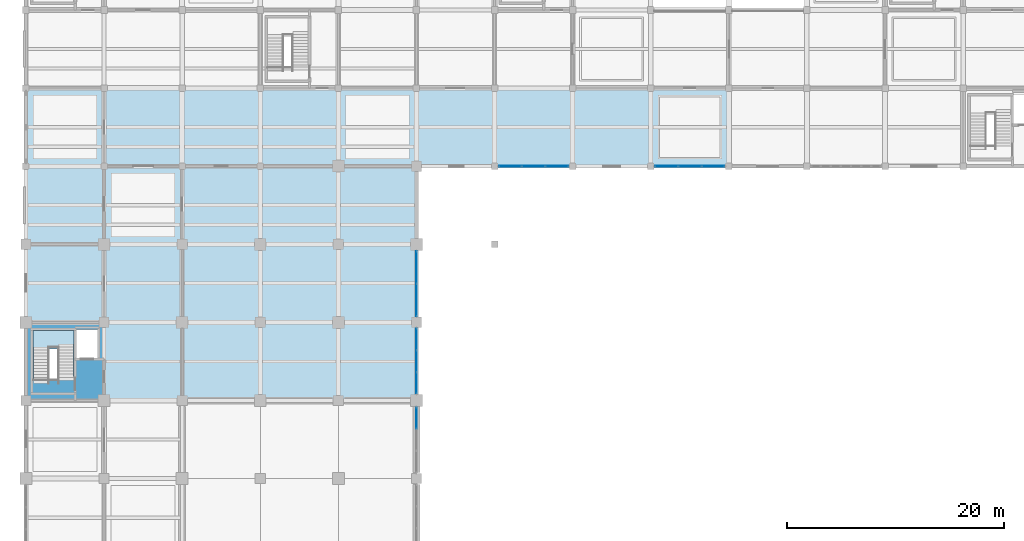
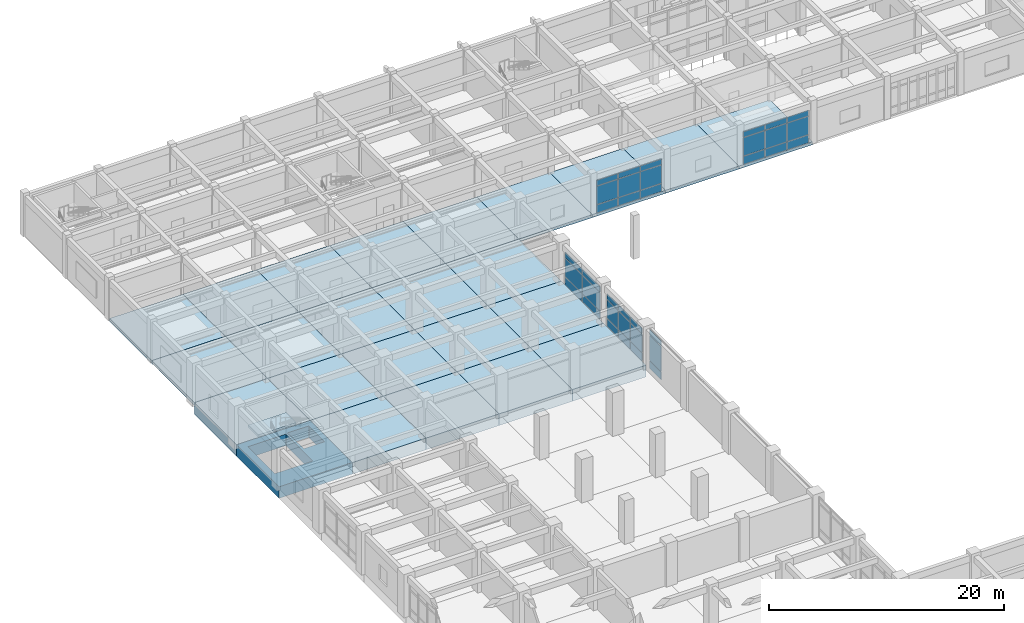
# One storey, part 45 of 81: 36 plates, 25 slabs, 6 elements without a shape of their own.
"""IFC4 building model written with IfcOpenShell, lengths in metres."""

from ifc_helpers import new_model, si_unit, direction, frame, origin, origin_2d, place, context, subcontext, project, spatial, polyline, rectangle, outline, extrude, material, layer, layer_set, type_object, element, aggregate, save


model = new_model("IFC4")

# Units and contexts
model_context = context("Model", 3, precision=1e-05, world=origin(), true_north=direction((0.0, 1.0)))
body_context = subcontext(model_context, "Body", "Model", "MODEL_VIEW")
ifc_project = project(units=[si_unit("LENGTHUNIT", "METRE"), si_unit("AREAUNIT", "SQUARE_METRE"), si_unit("VOLUMEUNIT", "CUBIC_METRE"), si_unit("PLANEANGLEUNIT", "RADIAN"), si_unit("MASSUNIT", "GRAM", prefix="KILO")], contexts=[model_context])

# Site, building, storey
site_placement = place(None, origin())
site = spatial("IfcSite", under=ifc_project, at=site_placement, CompositionType="ELEMENT")
building_placement = place(site_placement, origin())
building = spatial("IfcBuilding", under=site, at=building_placement, Name="Kavelor Marine Aquarium", CompositionType="ELEMENT")
storey_placement = place(building_placement, frame((0.0, 0.0, 4.679931640625)))
storey = spatial("IfcBuildingStorey", under=building, at=storey_placement, Name="L01", CompositionType="ELEMENT", Elevation=4.679931640625)

# Curtain wall, plates
ifc_material_1 = material(Name="Thermally Broken Aluminium and Low-E Glass", Category="aluminium")
ifc_layer_1 = layer(ifc_material_1, 0.30810546875)
ifc_layer_set_1 = layer_set([ifc_layer_1], Name="CW-SYS21")
curtain_wall_type_1 = type_object("IfcCurtainWallType", Name="CW-SYS21", PredefinedType="USERDEFINED", material=ifc_layer_set_1)
curtain_wall_1_placement = place(storey_placement, origin())
curtain_wall_1 = element("IfcCurtainWall", 1, at=curtain_wall_1_placement, inside=storey, type_object=curtain_wall_type_1, Name="cw:y:L01:05_08", ObjectType="Curtain Wall", PredefinedType="USERDEFINED")
ifc_material_2 = material(Name="Solar-Control Double Low-E Glazing", Category="glass")
ifc_layer_2 = layer(ifc_material_2, 0.0419921875)
ifc_layer_set_2 = layer_set([ifc_layer_2], Name="CWP-09")
plate_type_1 = type_object("IfcPlateType", Name="CWP-09", PredefinedType="CURTAIN_PANEL", material=ifc_layer_set_2)
plate_1_placement = place(storey_placement, frame((39.199951171875, 65.975830078125, 0.06494140625), z_axis=(0.0, 0.0, 1.0), x_axis=(0.0, 1.0, 0.0)))
plate_1 = element("IfcPlate", 2, at=plate_1_placement, type_object=plate_type_1, Name="CW21 panel 3.1", PredefinedType="CURTAIN_PANEL", context=body_context, shape_type="SweptSolid", body=[
    extrude(rectangle(XDim=1.938232421875, YDim=0.0419921875, at=origin_2d()), origin(), (0.0, 0.0, 1.0), 0.802490234375),
])
plate_2_placement = place(storey_placement, frame((39.199951171875, 65.975830078125, 0.9326171875), z_axis=(0.0, 0.0, 1.0), x_axis=(0.0, 1.0, 0.0)))
plate_2 = element("IfcPlate", 3, at=plate_2_placement, type_object=plate_type_1, Name="CW21 panel 3.2", PredefinedType="CURTAIN_PANEL", context=body_context, shape_type="SweptSolid", body=[
    extrude(rectangle(XDim=1.938232421875, YDim=0.0419921875, at=origin_2d()), origin(), (0.0, 0.0, 1.0), 2.5849609375),
])
plate_3_placement = place(storey_placement, frame((39.199951171875, 65.975830078125, 3.58251953125), z_axis=(0.0, 0.0, 1.0), x_axis=(0.0, 1.0, 0.0)))
plate_3 = element("IfcPlate", 4, at=plate_3_placement, type_object=plate_type_1, Name="CW21 panel 3.3", PredefinedType="CURTAIN_PANEL", context=body_context, shape_type="SweptSolid", body=[
    extrude(rectangle(XDim=1.938232421875, YDim=0.0419921875, at=origin_2d()), origin(), (0.0, 0.0, 1.0), 0.552490234375),
])
aggregate(curtain_wall_1, [plate_1, plate_2, plate_3])

ifc_material_3 = material(Name="Thermally Broken Aluminium and Low-E Glass", Category="aluminium")
ifc_layer_3 = layer(ifc_material_3, 0.31591796875)
ifc_layer_set_3 = layer_set([ifc_layer_3], Name="CW-SYS22")
curtain_wall_type_2 = type_object("IfcCurtainWallType", Name="CW-SYS22", PredefinedType="USERDEFINED", material=ifc_layer_set_3)
curtain_wall_2_placement = place(storey_placement, origin())
curtain_wall_2 = element("IfcCurtainWall", 5, at=curtain_wall_2_placement, inside=storey, type_object=curtain_wall_type_2, Name="cw:y:L01:05_09", ObjectType="Curtain Wall", PredefinedType="USERDEFINED")
ifc_material_4 = material(Name="Solar-Control Double Low-E Glazing", Category="glass")
ifc_layer_4 = layer(ifc_material_4, 0.0439453125)
ifc_layer_set_4 = layer_set([ifc_layer_4], Name="CWP-10")
plate_type_2 = type_object("IfcPlateType", Name="CWP-10", PredefinedType="CURTAIN_PANEL", material=ifc_layer_set_4)
plate_4_placement = place(storey_placement, frame((39.199951171875, 69.22802734375, 0.06005859375), z_axis=(0.0, 0.0, 1.0), x_axis=(0.0, 1.0, 0.0)))
plate_4 = element("IfcPlate", 6, at=plate_4_placement, type_object=plate_type_2, Name="CW22 panel 1.1", PredefinedType="CURTAIN_PANEL", context=body_context, shape_type="SweptSolid", body=[
    extrude(rectangle(XDim=1.915771484375, YDim=0.0439453125, at=origin_2d()), origin(), (0.0, 0.0, 1.0), 0.81005859375),
])
plate_5_placement = place(storey_placement, frame((39.199951171875, 69.22802734375, 0.93017578125), z_axis=(0.0, 0.0, 1.0), x_axis=(0.0, 1.0, 0.0)))
plate_5 = element("IfcPlate", 7, at=plate_5_placement, type_object=plate_type_2, Name="CW22 panel 1.2", PredefinedType="CURTAIN_PANEL", context=body_context, shape_type="SweptSolid", body=[
    extrude(rectangle(XDim=1.915771484375, YDim=0.0439453125, at=origin_2d()), origin(), (0.0, 0.0, 1.0), 1.89990234375),
])
plate_6_placement = place(storey_placement, frame((39.199951171875, 69.22802734375, 2.89013671875), z_axis=(0.0, 0.0, 1.0), x_axis=(0.0, 1.0, 0.0)))
plate_6 = element("IfcPlate", 8, at=plate_6_placement, type_object=plate_type_2, Name="CW22 panel 1.3", PredefinedType="CURTAIN_PANEL", context=body_context, shape_type="SweptSolid", body=[
    extrude(rectangle(XDim=1.915771484375, YDim=0.0439453125, at=origin_2d()), origin(), (0.0, 0.0, 1.0), 0.56005859375),
])
plate_7_placement = place(storey_placement, frame((39.199951171875, 71.237548828125, 0.06005859375), z_axis=(0.0, 0.0, 1.0), x_axis=(0.0, 1.0, 0.0)))
plate_7 = element("IfcPlate", 9, at=plate_7_placement, type_object=plate_type_2, Name="CW22 panel 2.1", PredefinedType="CURTAIN_PANEL", context=body_context, shape_type="SweptSolid", body=[
    extrude(rectangle(XDim=1.953369140625, YDim=0.0439453125, at=origin_2d()), origin(), (0.0, 0.0, 1.0), 0.81005859375),
])
plate_8_placement = place(storey_placement, frame((39.199951171875, 71.237548828125, 0.93017578125), z_axis=(0.0, 0.0, 1.0), x_axis=(0.0, 1.0, 0.0)))
plate_8 = element("IfcPlate", 10, at=plate_8_placement, type_object=plate_type_2, Name="CW22 panel 2.2", PredefinedType="CURTAIN_PANEL", context=body_context, shape_type="SweptSolid", body=[
    extrude(rectangle(XDim=1.953369140625, YDim=0.0439453125, at=origin_2d()), origin(), (0.0, 0.0, 1.0), 1.89990234375),
])
plate_9_placement = place(storey_placement, frame((39.199951171875, 71.237548828125, 2.89013671875), z_axis=(0.0, 0.0, 1.0), x_axis=(0.0, 1.0, 0.0)))
plate_9 = element("IfcPlate", 11, at=plate_9_placement, type_object=plate_type_2, Name="CW22 panel 2.3", PredefinedType="CURTAIN_PANEL", context=body_context, shape_type="SweptSolid", body=[
    extrude(rectangle(XDim=1.953369140625, YDim=0.0439453125, at=origin_2d()), origin(), (0.0, 0.0, 1.0), 0.56005859375),
])
plate_10_placement = place(storey_placement, frame((39.199951171875, 73.2470703125, 0.06005859375), z_axis=(0.0, 0.0, 1.0), x_axis=(0.0, 1.0, 0.0)))
plate_10 = element("IfcPlate", 12, at=plate_10_placement, type_object=plate_type_2, Name="CW22 panel 3.1", PredefinedType="CURTAIN_PANEL", context=body_context, shape_type="SweptSolid", body=[
    extrude(rectangle(XDim=1.915771484375, YDim=0.0439453125, at=origin_2d()), origin(), (0.0, 0.0, 1.0), 0.81005859375),
])
plate_11_placement = place(storey_placement, frame((39.199951171875, 73.2470703125, 0.93017578125), z_axis=(0.0, 0.0, 1.0), x_axis=(0.0, 1.0, 0.0)))
plate_11 = element("IfcPlate", 13, at=plate_11_placement, type_object=plate_type_2, Name="CW22 panel 3.2", PredefinedType="CURTAIN_PANEL", context=body_context, shape_type="SweptSolid", body=[
    extrude(rectangle(XDim=1.915771484375, YDim=0.0439453125, at=origin_2d()), origin(), (0.0, 0.0, 1.0), 1.89990234375),
])
plate_12_placement = place(storey_placement, frame((39.199951171875, 73.2470703125, 2.89013671875), z_axis=(0.0, 0.0, 1.0), x_axis=(0.0, 1.0, 0.0)))
plate_12 = element("IfcPlate", 14, at=plate_12_placement, type_object=plate_type_2, Name="CW22 panel 3.3", PredefinedType="CURTAIN_PANEL", context=body_context, shape_type="SweptSolid", body=[
    extrude(rectangle(XDim=1.915771484375, YDim=0.0439453125, at=origin_2d()), origin(), (0.0, 0.0, 1.0), 0.56005859375),
])
aggregate(curtain_wall_2, [plate_4, plate_5, plate_6, plate_7, plate_8, plate_9, plate_10, plate_11, plate_12])

ifc_material_5 = material(Name="Thermally Broken Aluminium and Low-E Glass", Category="aluminium")
ifc_layer_5 = layer(ifc_material_5, 0.323974609375)
ifc_layer_set_5 = layer_set([ifc_layer_5], Name="CW-SYS23")
curtain_wall_type_3 = type_object("IfcCurtainWallType", Name="CW-SYS23", PredefinedType="USERDEFINED", material=ifc_layer_set_5)
curtain_wall_3_placement = place(storey_placement, origin())
curtain_wall_3 = element("IfcCurtainWall", 15, at=curtain_wall_3_placement, inside=storey, type_object=curtain_wall_type_3, Name="cw:y:L01:05_10", ObjectType="Curtain Wall", PredefinedType="USERDEFINED")
ifc_material_6 = material(Name="Solar-Control Double Low-E Glazing", Category="glass")
ifc_layer_6 = layer(ifc_material_6, 0.0458984375)
ifc_layer_set_6 = layer_set([ifc_layer_6], Name="CWP-11")
plate_type_3 = type_object("IfcPlateType", Name="CWP-11", PredefinedType="CURTAIN_PANEL", material=ifc_layer_set_6)
plate_13_placement = place(storey_placement, frame((39.199951171875, 76.857421875, 0.06005859375), z_axis=(0.0, 0.0, 1.0), x_axis=(0.0, 1.0, 0.0)))
plate_13 = element("IfcPlate", 16, at=plate_13_placement, type_object=plate_type_3, Name="CW23 panel 1.1", PredefinedType="CURTAIN_PANEL", context=body_context, shape_type="SweptSolid", body=[
    extrude(rectangle(XDim=2.945068359375, YDim=0.0458984375, at=origin_2d()), origin(), (0.0, 0.0, 1.0), 0.81005859375),
])
plate_14_placement = place(storey_placement, frame((39.199951171875, 76.857421875, 0.93017578125), z_axis=(0.0, 0.0, 1.0), x_axis=(0.0, 1.0, 0.0)))
plate_14 = element("IfcPlate", 17, at=plate_14_placement, type_object=plate_type_3, Name="CW23 panel 1.2", PredefinedType="CURTAIN_PANEL", context=body_context, shape_type="SweptSolid", body=[
    extrude(rectangle(XDim=2.945068359375, YDim=0.0458984375, at=origin_2d()), origin(), (0.0, 0.0, 1.0), 1.8798828125),
])
plate_15_placement = place(storey_placement, frame((39.199951171875, 76.857421875, 2.8701171875), z_axis=(0.0, 0.0, 1.0), x_axis=(0.0, 1.0, 0.0)))
plate_15 = element("IfcPlate", 18, at=plate_15_placement, type_object=plate_type_3, Name="CW23 panel 1.3", PredefinedType="CURTAIN_PANEL", context=body_context, shape_type="SweptSolid", body=[
    extrude(rectangle(XDim=2.945068359375, YDim=0.0458984375, at=origin_2d()), origin(), (0.0, 0.0, 1.0), 0.56005859375),
])
plate_16_placement = place(storey_placement, frame((39.199951171875, 79.867431640625, 0.06005859375), z_axis=(0.0, 0.0, 1.0), x_axis=(0.0, 1.0, 0.0)))
plate_16 = element("IfcPlate", 19, at=plate_16_placement, type_object=plate_type_3, Name="CW23 panel 2.1", PredefinedType="CURTAIN_PANEL", context=body_context, shape_type="SweptSolid", body=[
    extrude(rectangle(XDim=2.945068359375, YDim=0.0458984375, at=origin_2d()), origin(), (0.0, 0.0, 1.0), 0.81005859375),
])
plate_17_placement = place(storey_placement, frame((39.199951171875, 79.867431640625, 0.93017578125), z_axis=(0.0, 0.0, 1.0), x_axis=(0.0, 1.0, 0.0)))
plate_17 = element("IfcPlate", 20, at=plate_17_placement, type_object=plate_type_3, Name="CW23 panel 2.2", PredefinedType="CURTAIN_PANEL", context=body_context, shape_type="SweptSolid", body=[
    extrude(rectangle(XDim=2.945068359375, YDim=0.0458984375, at=origin_2d()), origin(), (0.0, 0.0, 1.0), 1.8798828125),
])
plate_18_placement = place(storey_placement, frame((39.199951171875, 79.867431640625, 2.8701171875), z_axis=(0.0, 0.0, 1.0), x_axis=(0.0, 1.0, 0.0)))
plate_18 = element("IfcPlate", 21, at=plate_18_placement, type_object=plate_type_3, Name="CW23 panel 2.3", PredefinedType="CURTAIN_PANEL", context=body_context, shape_type="SweptSolid", body=[
    extrude(rectangle(XDim=2.945068359375, YDim=0.0458984375, at=origin_2d()), origin(), (0.0, 0.0, 1.0), 0.56005859375),
])
aggregate(curtain_wall_3, [plate_13, plate_14, plate_15, plate_16, plate_17, plate_18])

curtain_wall_4_placement = place(storey_placement, origin())
curtain_wall_4 = element("IfcCurtainWall", 22, at=curtain_wall_4_placement, inside=storey, type_object=curtain_wall_type_2, Name="cw:x:L01:06_12", ObjectType="Curtain Wall", PredefinedType="USERDEFINED")
ifc_material_7 = material(Name="Solar-Control Double Low-E Glazing", Category="glass")
ifc_layer_7 = layer(ifc_material_7, 0.068115234375)
ifc_layer_set_7 = layer_set([ifc_layer_7], Name="CWP-22")
plate_type_4 = type_object("IfcPlateType", Name="CWP-22", PredefinedType="CURTAIN_PANEL", material=ifc_layer_set_7)
plate_19_placement = place(storey_placement, frame((52.1513671875, 89.199951171875, 0.06005859375), z_axis=(0.0, 0.0, 1.0), x_axis=(-1.0, 0.0, 0.0)))
plate_19 = element("IfcPlate", 23, at=plate_19_placement, type_object=plate_type_4, Name="CW22 panel 1.1", PredefinedType="CURTAIN_PANEL", context=body_context, shape_type="SweptSolid", body=[
    extrude(rectangle(XDim=2.0576171875, YDim=0.068115234375, at=origin_2d()), origin(), (0.0, 0.0, 1.0), 0.81005859375),
])
plate_20_placement = place(storey_placement, frame((52.1513671875, 89.199951171875, 0.93017578125), z_axis=(0.0, 0.0, 1.0), x_axis=(-1.0, 0.0, 0.0)))
plate_20 = element("IfcPlate", 24, at=plate_20_placement, type_object=plate_type_4, Name="CW22 panel 1.2", PredefinedType="CURTAIN_PANEL", context=body_context, shape_type="SweptSolid", body=[
    extrude(rectangle(XDim=2.0576171875, YDim=0.068115234375, at=origin_2d()), origin(), (0.0, 0.0, 1.0), 1.8798828125),
])
plate_21_placement = place(storey_placement, frame((52.1513671875, 89.199951171875, 2.8701171875), z_axis=(0.0, 0.0, 1.0), x_axis=(-1.0, 0.0, 0.0)))
plate_21 = element("IfcPlate", 25, at=plate_21_placement, type_object=plate_type_4, Name="CW22 panel 1.3", PredefinedType="CURTAIN_PANEL", context=body_context, shape_type="SweptSolid", body=[
    extrude(rectangle(XDim=2.0576171875, YDim=0.068115234375, at=origin_2d()), origin(), (0.0, 0.0, 1.0), 0.56005859375),
])
plate_22_placement = place(storey_placement, frame((50.0, 89.199951171875, 0.06005859375), z_axis=(0.0, 0.0, 1.0), x_axis=(-1.0, 0.0, 0.0)))
plate_22 = element("IfcPlate", 26, at=plate_22_placement, type_object=plate_type_4, Name="CW22 panel 2.1", PredefinedType="CURTAIN_PANEL", context=body_context, shape_type="SweptSolid", body=[
    extrude(rectangle(XDim=2.094970703125, YDim=0.068115234375, at=origin_2d()), origin(), (0.0, 0.0, 1.0), 0.81005859375),
])
plate_23_placement = place(storey_placement, frame((50.0, 89.199951171875, 0.93017578125), z_axis=(0.0, 0.0, 1.0), x_axis=(-1.0, 0.0, 0.0)))
plate_23 = element("IfcPlate", 27, at=plate_23_placement, type_object=plate_type_4, Name="CW22 panel 2.2", PredefinedType="CURTAIN_PANEL", context=body_context, shape_type="SweptSolid", body=[
    extrude(rectangle(XDim=2.094970703125, YDim=0.068115234375, at=origin_2d()), origin(), (0.0, 0.0, 1.0), 1.8798828125),
])
plate_24_placement = place(storey_placement, frame((50.0, 89.199951171875, 2.8701171875), z_axis=(0.0, 0.0, 1.0), x_axis=(-1.0, 0.0, 0.0)))
plate_24 = element("IfcPlate", 28, at=plate_24_placement, type_object=plate_type_4, Name="CW22 panel 2.3", PredefinedType="CURTAIN_PANEL", context=body_context, shape_type="SweptSolid", body=[
    extrude(rectangle(XDim=2.094970703125, YDim=0.068115234375, at=origin_2d()), origin(), (0.0, 0.0, 1.0), 0.56005859375),
])
plate_25_placement = place(storey_placement, frame((47.8486328125, 89.199951171875, 0.06005859375), z_axis=(0.0, 0.0, 1.0), x_axis=(-1.0, 0.0, 0.0)))
plate_25 = element("IfcPlate", 29, at=plate_25_placement, type_object=plate_type_4, Name="CW22 panel 3.1", PredefinedType="CURTAIN_PANEL", context=body_context, shape_type="SweptSolid", body=[
    extrude(rectangle(XDim=2.0576171875, YDim=0.068115234375, at=origin_2d()), origin(), (0.0, 0.0, 1.0), 0.81005859375),
])
plate_26_placement = place(storey_placement, frame((47.8486328125, 89.199951171875, 0.93017578125), z_axis=(0.0, 0.0, 1.0), x_axis=(-1.0, 0.0, 0.0)))
plate_26 = element("IfcPlate", 30, at=plate_26_placement, type_object=plate_type_4, Name="CW22 panel 3.2", PredefinedType="CURTAIN_PANEL", context=body_context, shape_type="SweptSolid", body=[
    extrude(rectangle(XDim=2.0576171875, YDim=0.068115234375, at=origin_2d()), origin(), (0.0, 0.0, 1.0), 1.8798828125),
])
plate_27_placement = place(storey_placement, frame((47.8486328125, 89.199951171875, 2.8701171875), z_axis=(0.0, 0.0, 1.0), x_axis=(-1.0, 0.0, 0.0)))
plate_27 = element("IfcPlate", 31, at=plate_27_placement, type_object=plate_type_4, Name="CW22 panel 3.3", PredefinedType="CURTAIN_PANEL", context=body_context, shape_type="SweptSolid", body=[
    extrude(rectangle(XDim=2.0576171875, YDim=0.068115234375, at=origin_2d()), origin(), (0.0, 0.0, 1.0), 0.56005859375),
])
aggregate(curtain_wall_4, [plate_19, plate_20, plate_21, plate_22, plate_23, plate_24, plate_25, plate_26, plate_27])

curtain_wall_5_placement = place(storey_placement, origin())
curtain_wall_5 = element("IfcCurtainWall", 32, at=curtain_wall_5_placement, inside=storey, type_object=curtain_wall_type_3, Name="cw:x:L01:08_12", ObjectType="Curtain Wall", PredefinedType="USERDEFINED")
ifc_material_8 = material(Name="Solar-Control Double Low-E Glazing", Category="glass")
ifc_layer_8 = layer(ifc_material_8, 0.070068359375)
ifc_layer_set_8 = layer_set([ifc_layer_8], Name="CWP-23")
plate_type_5 = type_object("IfcPlateType", Name="CWP-23", PredefinedType="CURTAIN_PANEL", material=ifc_layer_set_8)
plate_28_placement = place(storey_placement, frame((66.5537109375, 89.199951171875, 0.06005859375), z_axis=(0.0, 0.0, 1.0), x_axis=(-1.0, 0.0, 0.0)))
plate_28 = element("IfcPlate", 33, at=plate_28_placement, type_object=plate_type_5, Name="CW23 panel 1.1", PredefinedType="CURTAIN_PANEL", context=body_context, shape_type="SweptSolid", body=[
    extrude(rectangle(XDim=2.072509765625, YDim=0.070068359375, at=origin_2d()), origin(), (0.0, 0.0, 1.0), 0.81005859375),
])
plate_29_placement = place(storey_placement, frame((66.5537109375, 89.199951171875, 0.93017578125), z_axis=(0.0, 0.0, 1.0), x_axis=(-1.0, 0.0, 0.0)))
plate_29 = element("IfcPlate", 34, at=plate_29_placement, type_object=plate_type_5, Name="CW23 panel 1.2", PredefinedType="CURTAIN_PANEL", context=body_context, shape_type="SweptSolid", body=[
    extrude(rectangle(XDim=2.072509765625, YDim=0.070068359375, at=origin_2d()), origin(), (0.0, 0.0, 1.0), 1.8798828125),
])
plate_30_placement = place(storey_placement, frame((66.5537109375, 89.199951171875, 2.8701171875), z_axis=(0.0, 0.0, 1.0), x_axis=(-1.0, 0.0, 0.0)))
plate_30 = element("IfcPlate", 35, at=plate_30_placement, type_object=plate_type_5, Name="CW23 panel 1.3", PredefinedType="CURTAIN_PANEL", context=body_context, shape_type="SweptSolid", body=[
    extrude(rectangle(XDim=2.072509765625, YDim=0.070068359375, at=origin_2d()), origin(), (0.0, 0.0, 1.0), 0.56005859375),
])
plate_31_placement = place(storey_placement, frame((64.39990234375, 89.199951171875, 0.06005859375), z_axis=(0.0, 0.0, 1.0), x_axis=(-1.0, 0.0, 0.0)))
plate_31 = element("IfcPlate", 36, at=plate_31_placement, type_object=plate_type_5, Name="CW23 panel 2.1", PredefinedType="CURTAIN_PANEL", context=body_context, shape_type="SweptSolid", body=[
    extrude(rectangle(XDim=2.10498046875, YDim=0.070068359375, at=origin_2d()), origin(), (0.0, 0.0, 1.0), 0.81005859375),
])
plate_32_placement = place(storey_placement, frame((64.39990234375, 89.199951171875, 0.93017578125), z_axis=(0.0, 0.0, 1.0), x_axis=(-1.0, 0.0, 0.0)))
plate_32 = element("IfcPlate", 37, at=plate_32_placement, type_object=plate_type_5, Name="CW23 panel 2.2", PredefinedType="CURTAIN_PANEL", context=body_context, shape_type="SweptSolid", body=[
    extrude(rectangle(XDim=2.10498046875, YDim=0.070068359375, at=origin_2d()), origin(), (0.0, 0.0, 1.0), 1.8798828125),
])
plate_33_placement = place(storey_placement, frame((64.39990234375, 89.199951171875, 2.8701171875), z_axis=(0.0, 0.0, 1.0), x_axis=(-1.0, 0.0, 0.0)))
plate_33 = element("IfcPlate", 38, at=plate_33_placement, type_object=plate_type_5, Name="CW23 panel 2.3", PredefinedType="CURTAIN_PANEL", context=body_context, shape_type="SweptSolid", body=[
    extrude(rectangle(XDim=2.10498046875, YDim=0.070068359375, at=origin_2d()), origin(), (0.0, 0.0, 1.0), 0.56005859375),
])
plate_34_placement = place(storey_placement, frame((62.246337890625, 89.199951171875, 0.06005859375), z_axis=(0.0, 0.0, 1.0), x_axis=(-1.0, 0.0, 0.0)))
plate_34 = element("IfcPlate", 39, at=plate_34_placement, type_object=plate_type_5, Name="CW23 panel 3.1", PredefinedType="CURTAIN_PANEL", context=body_context, shape_type="SweptSolid", body=[
    extrude(rectangle(XDim=2.072509765625, YDim=0.070068359375, at=origin_2d()), origin(), (0.0, 0.0, 1.0), 0.81005859375),
])
plate_35_placement = place(storey_placement, frame((62.246337890625, 89.199951171875, 0.93017578125), z_axis=(0.0, 0.0, 1.0), x_axis=(-1.0, 0.0, 0.0)))
plate_35 = element("IfcPlate", 40, at=plate_35_placement, type_object=plate_type_5, Name="CW23 panel 3.2", PredefinedType="CURTAIN_PANEL", context=body_context, shape_type="SweptSolid", body=[
    extrude(rectangle(XDim=2.072509765625, YDim=0.070068359375, at=origin_2d()), origin(), (0.0, 0.0, 1.0), 1.8798828125),
])
plate_36_placement = place(storey_placement, frame((62.246337890625, 89.199951171875, 2.8701171875), z_axis=(0.0, 0.0, 1.0), x_axis=(-1.0, 0.0, 0.0)))
plate_36 = element("IfcPlate", 41, at=plate_36_placement, type_object=plate_type_5, Name="CW23 panel 3.3", PredefinedType="CURTAIN_PANEL", context=body_context, shape_type="SweptSolid", body=[
    extrude(rectangle(XDim=2.072509765625, YDim=0.070068359375, at=origin_2d()), origin(), (0.0, 0.0, 1.0), 0.56005859375),
])
aggregate(curtain_wall_5, [plate_28, plate_29, plate_30, plate_31, plate_32, plate_33, plate_34, plate_35, plate_36])

# Stair, slab
ifc_material_9 = material(Name="Concrete C40/50", Category="concrete")
stair_type = type_object("IfcStairType", Name="ST-T2", PredefinedType="HALF_TURN_STAIR", material=ifc_material_9)
stair_placement = place(storey_placement, origin())
stair = element("IfcStair", 42, at=stair_placement, inside=storey, type_object=stair_type, Name="Exit Stair ST03 (L01)", PredefinedType="HALF_TURN_STAIR")
ifc_material_10 = material(Name="Concrete C40/50", Category="concrete")
ifc_layer_9 = layer(ifc_material_10, 0.199951171875)
ifc_layer_set_9 = layer_set([ifc_layer_9], Name="LND-T2")
slab_type_1 = type_object("IfcSlabType", Name="LND-T2", PredefinedType="LANDING", material=ifc_layer_set_9)
slab_1_placement = place(storey_placement, frame((0.0, 0.0, 2.050048828125)))
slab_1 = element("IfcSlab", 43, at=slab_1_placement, type_object=slab_type_1, Name="ST03 landing 1", PredefinedType="LANDING", context=body_context, shape_type="SweptSolid", body=[
    extrude(outline(polyline([(3.860107421875, 72.340087890625), (7.6201171875, 72.340087890625), (7.6201171875, 74.06005859375), (3.860107421875, 74.06005859375), (3.860107421875, 72.340087890625)])), origin(), (0.0, 0.0, 1.0), 0.199951171875),
])
aggregate(stair, [slab_1])

# Slabs
ifc_material_11 = material(Name="Concrete C40/50", Category="concrete")
ifc_layer_10 = layer(ifc_material_11, 0.300048828125)
ifc_layer_set_10 = layer_set([ifc_layer_10], Name="SL-FL1")
slab_type_2 = type_object("IfcSlabType", Name="SL-FL1", PredefinedType="FLOOR", material=ifc_layer_set_10)
slab_2_placement = place(storey_placement, frame((0.0, 0.0, -0.300048828125)))
element("IfcSlab", 44, at=slab_2_placement, inside=storey, type_object=slab_type_2, Name="slab:L01:00_11", PredefinedType="FLOOR", context=body_context, shape_type="SweptSolid", body=[
    extrude(outline(polyline([(3.199951171875, 82.0), (10.39990234375, 82.0), (10.39990234375, 89.199951171875), (3.199951171875, 89.199951171875), (3.199951171875, 82.0)])), origin(), (0.0, 0.0, 1.0), 0.300048828125),
])
slab_3_placement = place(storey_placement, frame((0.0, 0.0, -0.300048828125)))
element("IfcSlab", 45, at=slab_3_placement, inside=storey, type_object=slab_type_2, Name="slab:L01:00_12", PredefinedType="FLOOR", context=body_context, shape_type="SweptSolid", body=[
    extrude(outline(polyline([(3.199951171875, 89.199951171875), (10.39990234375, 89.199951171875), (10.39990234375, 96.39990234375), (3.199951171875, 96.39990234375), (3.199951171875, 89.199951171875)])), origin(), (0.0, 0.0, 1.0), 0.300048828125),
])
slab_4_placement = place(storey_placement, frame((0.0, 0.0, -0.300048828125)))
element("IfcSlab", 46, at=slab_4_placement, inside=storey, type_object=slab_type_2, Name="slab:L01:01_11", PredefinedType="FLOOR", context=body_context, shape_type="SweptSolid", body=[
    extrude(outline(polyline([(10.39990234375, 82.0), (17.60009765625, 82.0), (17.60009765625, 89.199951171875), (10.39990234375, 89.199951171875), (10.39990234375, 82.0)])), origin(), (0.0, 0.0, 1.0), 0.300048828125),
])
slab_5_placement = place(storey_placement, frame((0.0, 0.0, -0.300048828125)))
element("IfcSlab", 47, at=slab_5_placement, inside=storey, type_object=slab_type_2, Name="slab:L01:01_12", PredefinedType="FLOOR", context=body_context, shape_type="SweptSolid", body=[
    extrude(outline(polyline([(10.39990234375, 89.199951171875), (17.60009765625, 89.199951171875), (17.60009765625, 96.39990234375), (10.39990234375, 96.39990234375), (10.39990234375, 89.199951171875)])), origin(), (0.0, 0.0, 1.0), 0.300048828125),
])
slab_6_placement = place(storey_placement, frame((0.0, 0.0, -0.300048828125)))
element("IfcSlab", 48, at=slab_6_placement, inside=storey, type_object=slab_type_2, Name="slab:L01:02_11", PredefinedType="FLOOR", context=body_context, shape_type="SweptSolid", body=[
    extrude(outline(polyline([(17.60009765625, 82.0), (24.800048828125, 82.0), (24.800048828125, 89.199951171875), (17.60009765625, 89.199951171875), (17.60009765625, 82.0)])), origin(), (0.0, 0.0, 1.0), 0.300048828125),
])
slab_7_placement = place(storey_placement, frame((0.0, 0.0, -0.300048828125)))
element("IfcSlab", 49, at=slab_7_placement, inside=storey, type_object=slab_type_2, Name="slab:L01:02_12", PredefinedType="FLOOR", context=body_context, shape_type="SweptSolid", body=[
    extrude(outline(polyline([(17.60009765625, 89.199951171875), (24.800048828125, 89.199951171875), (24.800048828125, 96.39990234375), (17.60009765625, 96.39990234375), (17.60009765625, 89.199951171875)])), origin(), (0.0, 0.0, 1.0), 0.300048828125),
])
slab_8_placement = place(storey_placement, frame((0.0, 0.0, -0.300048828125)))
element("IfcSlab", 50, at=slab_8_placement, inside=storey, type_object=slab_type_2, Name="slab:L01:03_11", PredefinedType="FLOOR", context=body_context, shape_type="SweptSolid", body=[
    extrude(outline(polyline([(24.800048828125, 82.0), (32.0, 82.0), (32.0, 89.199951171875), (24.800048828125, 89.199951171875), (24.800048828125, 82.0)])), origin(), (0.0, 0.0, 1.0), 0.300048828125),
])
slab_9_placement = place(storey_placement, frame((0.0, 0.0, -0.300048828125)))
element("IfcSlab", 51, at=slab_9_placement, inside=storey, type_object=slab_type_2, Name="slab:L01:03_12", PredefinedType="FLOOR", context=body_context, shape_type="SweptSolid", body=[
    extrude(outline(polyline([(24.800048828125, 89.199951171875), (32.0, 89.199951171875), (32.0, 96.39990234375), (24.800048828125, 96.39990234375), (24.800048828125, 89.199951171875)])), origin(), (0.0, 0.0, 1.0), 0.300048828125),
])
slab_10_placement = place(storey_placement, frame((0.0, 0.0, -0.300048828125)))
element("IfcSlab", 52, at=slab_10_placement, inside=storey, type_object=slab_type_2, Name="slab:L01:04_11", PredefinedType="FLOOR", context=body_context, shape_type="SweptSolid", body=[
    extrude(outline(polyline([(32.0, 82.0), (39.199951171875, 82.0), (39.199951171875, 89.199951171875), (32.0, 89.199951171875), (32.0, 82.0)])), origin(), (0.0, 0.0, 1.0), 0.300048828125),
])
slab_11_placement = place(storey_placement, frame((0.0, 0.0, -0.300048828125)))
element("IfcSlab", 53, at=slab_11_placement, inside=storey, type_object=slab_type_2, Name="slab:L01:04_12", PredefinedType="FLOOR", context=body_context, shape_type="SweptSolid", body=[
    extrude(outline(polyline([(32.0, 89.199951171875), (39.199951171875, 89.199951171875), (39.199951171875, 96.39990234375), (32.0, 96.39990234375), (32.0, 89.199951171875)])), origin(), (0.0, 0.0, 1.0), 0.300048828125),
])
slab_12_placement = place(storey_placement, frame((0.0, 0.0, -0.300048828125)))
element("IfcSlab", 54, at=slab_12_placement, inside=storey, type_object=slab_type_2, Name="slab:L01:05_12", PredefinedType="FLOOR", context=body_context, shape_type="SweptSolid", body=[
    extrude(outline(polyline([(39.199951171875, 89.199951171875), (46.39990234375, 89.199951171875), (46.39990234375, 96.39990234375), (39.199951171875, 96.39990234375), (39.199951171875, 89.199951171875)])), origin(), (0.0, 0.0, 1.0), 0.300048828125),
])
slab_13_placement = place(storey_placement, frame((0.0, 0.0, -0.300048828125)))
element("IfcSlab", 55, at=slab_13_placement, inside=storey, type_object=slab_type_2, Name="slab:L01:06_12", PredefinedType="FLOOR", context=body_context, shape_type="SweptSolid", body=[
    extrude(outline(polyline([(46.39990234375, 89.199951171875), (53.60009765625, 89.199951171875), (53.60009765625, 96.39990234375), (46.39990234375, 96.39990234375), (46.39990234375, 89.199951171875)])), origin(), (0.0, 0.0, 1.0), 0.300048828125),
])
slab_14_placement = place(storey_placement, frame((0.0, 0.0, -0.300048828125)))
element("IfcSlab", 56, at=slab_14_placement, inside=storey, type_object=slab_type_2, Name="slab:L01:07_12", PredefinedType="FLOOR", context=body_context, shape_type="SweptSolid", body=[
    extrude(outline(polyline([(53.60009765625, 89.199951171875), (60.800048828125, 89.199951171875), (60.800048828125, 96.39990234375), (53.60009765625, 96.39990234375), (53.60009765625, 89.199951171875)])), origin(), (0.0, 0.0, 1.0), 0.300048828125),
])
slab_15_placement = place(storey_placement, frame((0.0, 0.0, -0.300048828125)))
element("IfcSlab", 57, at=slab_15_placement, inside=storey, type_object=slab_type_2, Name="slab:L01:08_12", PredefinedType="FLOOR", context=body_context, shape_type="SweptSolid", body=[
    extrude(outline(polyline([(60.800048828125, 89.199951171875), (68.0, 89.199951171875), (68.0, 96.39990234375), (60.800048828125, 96.39990234375), (60.800048828125, 89.199951171875)])), origin(), (0.0, 0.0, 1.0), 0.300048828125),
])
ifc_material_12 = material(Name="Concrete C45/55", Category="concrete")
ifc_layer_11 = layer(ifc_material_12, 1.199951171875)
ifc_layer_set_11 = layer_set([ifc_layer_11], Name="SL-TR1")
slab_type_3 = type_object("IfcSlabType", Name="SL-TR1", PredefinedType="FLOOR", material=ifc_layer_set_11)
slab_16_placement = place(storey_placement, frame((0.0, 0.0, -1.199951171875)))
element("IfcSlab", 58, at=slab_16_placement, inside=storey, type_object=slab_type_3, Name="slab:L01:00_09", PredefinedType="FLOOR", context=body_context, shape_type="SweptSolid", body=[
    extrude(outline(polyline([(3.199951171875, 67.60009765625), (10.39990234375, 67.60009765625), (10.39990234375, 74.800048828125), (3.199951171875, 74.800048828125), (3.199951171875, 67.60009765625)]), holes=[polyline([(3.8798828125, 69.48291015625), (7.60009765625, 69.48291015625), (7.60009765625, 74.070068359375), (3.8798828125, 74.070068359375), (3.8798828125, 69.48291015625)]), polyline([(7.860107421875, 71.449951171875), (9.89990234375, 71.449951171875), (9.89990234375, 74.14990234375), (7.800048828125, 74.14990234375), (7.860107421875, 71.449951171875)])]), origin(), (0.0, 0.0, 1.0), 1.199951171875),
])
slab_17_placement = place(storey_placement, frame((0.0, 0.0, -1.199951171875)))
element("IfcSlab", 59, at=slab_17_placement, inside=storey, type_object=slab_type_3, Name="slab:L01:00_10", PredefinedType="FLOOR", context=body_context, shape_type="SweptSolid", body=[
    extrude(outline(polyline([(3.199951171875, 74.800048828125), (10.39990234375, 74.800048828125), (10.39990234375, 82.0), (3.199951171875, 82.0), (3.199951171875, 74.800048828125)])), origin(), (0.0, 0.0, 1.0), 1.199951171875),
])
slab_18_placement = place(storey_placement, frame((0.0, 0.0, -1.199951171875)))
element("IfcSlab", 60, at=slab_18_placement, inside=storey, type_object=slab_type_3, Name="slab:L01:01_09", PredefinedType="FLOOR", context=body_context, shape_type="SweptSolid", body=[
    extrude(outline(polyline([(10.39990234375, 67.60009765625), (17.60009765625, 67.60009765625), (17.60009765625, 74.800048828125), (10.39990234375, 74.800048828125), (10.39990234375, 67.60009765625)])), origin(), (0.0, 0.0, 1.0), 1.199951171875),
])
slab_19_placement = place(storey_placement, frame((0.0, 0.0, -1.199951171875)))
element("IfcSlab", 61, at=slab_19_placement, inside=storey, type_object=slab_type_3, Name="slab:L01:01_10", PredefinedType="FLOOR", context=body_context, shape_type="SweptSolid", body=[
    extrude(outline(polyline([(10.39990234375, 74.800048828125), (17.60009765625, 74.800048828125), (17.60009765625, 82.0), (10.39990234375, 82.0), (10.39990234375, 74.800048828125)])), origin(), (0.0, 0.0, 1.0), 1.199951171875),
])
slab_20_placement = place(storey_placement, frame((0.0, 0.0, -1.199951171875)))
element("IfcSlab", 62, at=slab_20_placement, inside=storey, type_object=slab_type_3, Name="slab:L01:02_09", PredefinedType="FLOOR", context=body_context, shape_type="SweptSolid", body=[
    extrude(outline(polyline([(17.60009765625, 67.60009765625), (24.800048828125, 67.60009765625), (24.800048828125, 74.800048828125), (17.60009765625, 74.800048828125), (17.60009765625, 67.60009765625)])), origin(), (0.0, 0.0, 1.0), 1.199951171875),
])
slab_21_placement = place(storey_placement, frame((0.0, 0.0, -1.199951171875)))
element("IfcSlab", 63, at=slab_21_placement, inside=storey, type_object=slab_type_3, Name="slab:L01:02_10", PredefinedType="FLOOR", context=body_context, shape_type="SweptSolid", body=[
    extrude(outline(polyline([(17.60009765625, 74.800048828125), (24.800048828125, 74.800048828125), (24.800048828125, 82.0), (17.60009765625, 82.0), (17.60009765625, 74.800048828125)])), origin(), (0.0, 0.0, 1.0), 1.199951171875),
])
slab_22_placement = place(storey_placement, frame((0.0, 0.0, -1.199951171875)))
element("IfcSlab", 64, at=slab_22_placement, inside=storey, type_object=slab_type_3, Name="slab:L01:03_09", PredefinedType="FLOOR", context=body_context, shape_type="SweptSolid", body=[
    extrude(outline(polyline([(24.800048828125, 67.60009765625), (32.0, 67.60009765625), (32.0, 74.800048828125), (24.800048828125, 74.800048828125), (24.800048828125, 67.60009765625)])), origin(), (0.0, 0.0, 1.0), 1.199951171875),
])
slab_23_placement = place(storey_placement, frame((0.0, 0.0, -1.199951171875)))
element("IfcSlab", 65, at=slab_23_placement, inside=storey, type_object=slab_type_3, Name="slab:L01:03_10", PredefinedType="FLOOR", context=body_context, shape_type="SweptSolid", body=[
    extrude(outline(polyline([(24.800048828125, 74.800048828125), (32.0, 74.800048828125), (32.0, 82.0), (24.800048828125, 82.0), (24.800048828125, 74.800048828125)])), origin(), (0.0, 0.0, 1.0), 1.199951171875),
])
slab_24_placement = place(storey_placement, frame((0.0, 0.0, -1.199951171875)))
element("IfcSlab", 66, at=slab_24_placement, inside=storey, type_object=slab_type_3, Name="slab:L01:04_09", PredefinedType="FLOOR", context=body_context, shape_type="SweptSolid", body=[
    extrude(outline(polyline([(32.0, 67.60009765625), (39.199951171875, 67.60009765625), (39.199951171875, 74.800048828125), (32.0, 74.800048828125), (32.0, 67.60009765625)])), origin(), (0.0, 0.0, 1.0), 1.199951171875),
])
slab_25_placement = place(storey_placement, frame((0.0, 0.0, -1.199951171875)))
element("IfcSlab", 67, at=slab_25_placement, inside=storey, type_object=slab_type_3, Name="slab:L01:04_10", PredefinedType="FLOOR", context=body_context, shape_type="SweptSolid", body=[
    extrude(outline(polyline([(32.0, 74.800048828125), (39.199951171875, 74.800048828125), (39.199951171875, 82.0), (32.0, 82.0), (32.0, 74.800048828125)])), origin(), (0.0, 0.0, 1.0), 1.199951171875),
])

save(model, "model.ifc")
